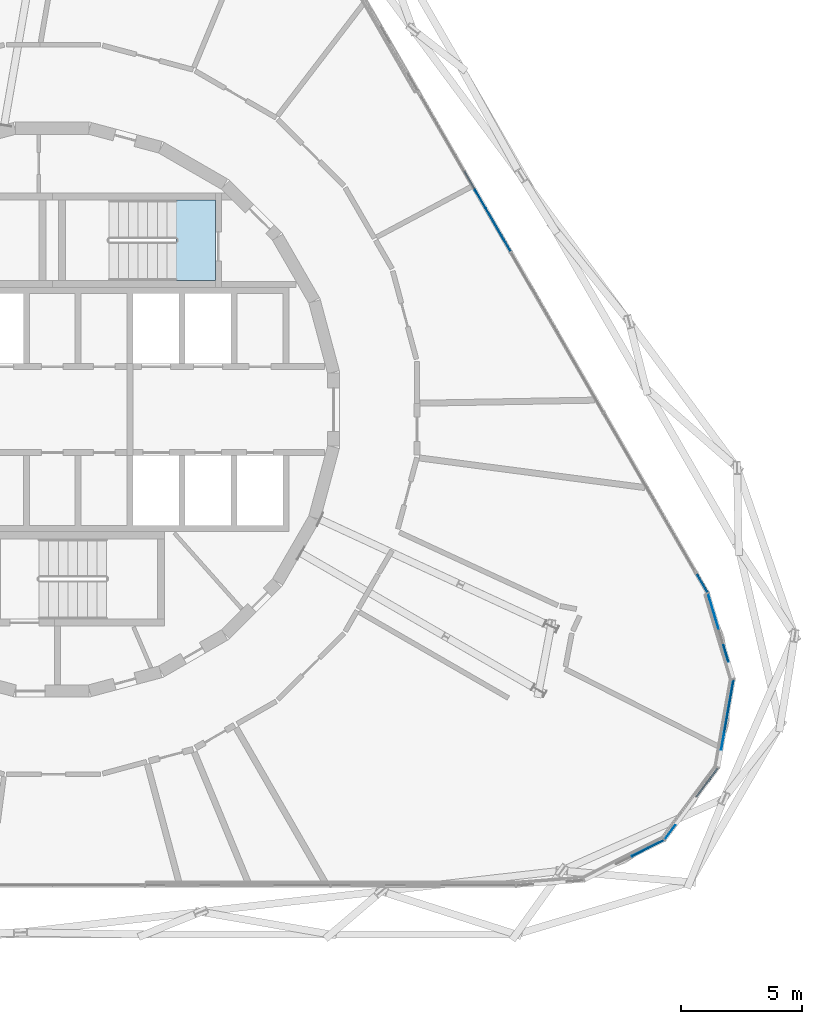
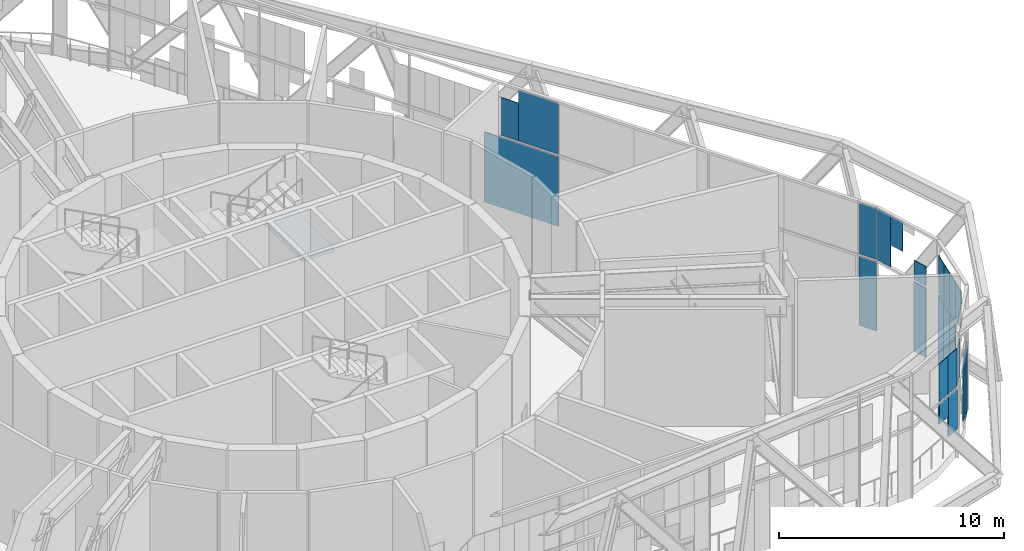
# One storey, part 16 of 29: 23 plates, 1 slab, 3 elements without a shape of their own.
"""IFC4 building model written with IfcOpenShell, lengths in metres."""

from ifc_helpers import new_model, si_unit, direction, frame, origin, origin_2d, place, context, subcontext, project, spatial, polyline, rectangle, outline, extrude, material, layer, layer_set, type_object, element, aggregate, save


model = new_model("IFC4")

# Units and contexts
model_context = context("Model", 3, precision=1e-05, world=origin(), true_north=direction((0.0, 1.0)))
body_context = subcontext(model_context, "Body", "Model", "MODEL_VIEW")
ifc_project = project(units=[si_unit("LENGTHUNIT", "METRE"), si_unit("AREAUNIT", "SQUARE_METRE"), si_unit("VOLUMEUNIT", "CUBIC_METRE"), si_unit("PLANEANGLEUNIT", "RADIAN"), si_unit("MASSUNIT", "GRAM", prefix="KILO")], contexts=[model_context])

# Site, building, storey
site_placement = place(None, origin())
site = spatial("IfcSite", under=ifc_project, at=site_placement, CompositionType="ELEMENT")
building_placement = place(site_placement, origin())
building = spatial("IfcBuilding", under=site, at=building_placement, Name="Spindle Arch Residences", CompositionType="ELEMENT")
storey_placement = place(building_placement, frame((0.0, 0.0, 69.89990234375)))
storey = spatial("IfcBuildingStorey", under=building, at=storey_placement, Name="L16", CompositionType="ELEMENT", Elevation=69.89990234375)

# Stair, slab
ifc_material_1 = material(Name="Concrete C50/60", Category="concrete")
stair_type = type_object("IfcStairType", Name="Exit stair 32 risers", PredefinedType="HALF_TURN_STAIR", material=ifc_material_1)
stair_placement = place(storey_placement, origin())
stair = element("IfcStair", 1, at=stair_placement, inside=storey, type_object=stair_type, Name="L16 Exit stair ST1", PredefinedType="HALF_TURN_STAIR")
ifc_material_2 = material(Name="Concrete C50/60", Category="concrete")
ifc_layer_1 = layer(ifc_material_2, 0.219970703125)
ifc_layer_set_1 = layer_set([ifc_layer_1], Name="Exit stair landing 220")
slab_type = type_object("IfcSlabType", Name="Exit stair landing 220", PredefinedType="LANDING", material=ifc_layer_set_1)
slab_placement = place(storey_placement, frame((0.0, 0.0, 3.18017578125)))
slab = element("IfcSlab", 2, at=slab_placement, type_object=slab_type, Name="ST1 landing 2", PredefinedType="LANDING", context=body_context, shape_type="SweptSolid", body=[
    extrude(outline(polyline([(6.75, 8.669921875), (5.1298828125, 8.669921875), (5.1298828125, 5.35009765625), (6.75, 5.35009765625), (6.75, 8.669921875)])), origin(), (0.0, 0.0, 1.0), 0.219970703125),
])
aggregate(stair, [slab])

# Curtain wall, plates
ifc_material_3 = material(Name="Aluminium bronze unitised frame with tinted glass", Category="aluminium")
ifc_layer_2 = layer(ifc_material_3, 0.159912109375)
ifc_layer_set_2 = layer_set([ifc_layer_2], Name="CW-E double-height winter garden wall")
curtain_wall_type = type_object("IfcCurtainWallType", Name="CW-E double-height winter garden wall", PredefinedType="NOTDEFINED", material=ifc_layer_set_2)
curtain_wall_1_placement = place(storey_placement, origin())
curtain_wall_1 = element("IfcCurtainWall", 3, at=curtain_wall_1_placement, inside=storey, type_object=curtain_wall_type, Name="CW-E L16 run 1", PredefinedType="NOTDEFINED")
ifc_material_4 = material(Name="Tinted laminated glass 28 mm", Category="glass")
ifc_layer_3 = layer(ifc_material_4, 0.028076171875)
ifc_layer_set_3 = layer_set([ifc_layer_3], Name="Tinted glass panel 28 mm")
plate_type_1 = type_object("IfcPlateType", Name="Tinted glass panel 28 mm", PredefinedType="CURTAIN_PANEL", material=ifc_layer_set_3)
plate_1_placement = place(storey_placement, frame((24.327392578125, -18.32666015625, 3.460205078125), z_axis=(0.0, 0.0, 1.0), x_axis=(0.893632642326, 0.448799176213, 0.0)))
plate_1 = element("IfcPlate", 4, at=plate_1_placement, type_object=plate_type_1, Name="CW-E panel 01b.2", PredefinedType="CURTAIN_PANEL", context=body_context, shape_type="SweptSolid", body=[
    extrude(rectangle(XDim=0.7333984375, YDim=0.028076171875, at=origin_2d()), origin(), (0.0, 0.0, 1.0), 2.0458984375),
])
plate_2_placement = place(storey_placement, frame((24.98291015625, -17.99755859375, 3.460205078125), z_axis=(0.0, 0.0, 1.0), x_axis=(0.893632642326, 0.448799176213, 0.0)))
plate_2 = element("IfcPlate", 5, at=plate_2_placement, type_object=plate_type_1, Name="CW-E panel 01b.3", PredefinedType="CURTAIN_PANEL", context=body_context, shape_type="SweptSolid", body=[
    extrude(rectangle(XDim=0.7333984375, YDim=0.028076171875, at=origin_2d()), origin(), (0.0, 0.0, 1.0), 2.0458984375),
])
plate_3_placement = place(storey_placement, frame((25.57421875, -17.50146484375, 3.460205078125), z_axis=(0.0, 0.0, 1.0), x_axis=(0.597158595823, 0.802123189687, 0.0)))
plate_3 = element("IfcPlate", 6, at=plate_3_placement, type_object=plate_type_1, Name="CW-E panel 02b.1", PredefinedType="CURTAIN_PANEL", context=body_context, shape_type="SweptSolid", body=[
    extrude(rectangle(XDim=0.7333984375, YDim=0.028076171875, at=origin_2d()), origin(), (0.0, 0.0, 1.0), 2.0458984375),
])
plate_4_placement = place(storey_placement, frame((27.759033203125, -13.71728515625, 3.460205078125), z_axis=(0.0, 0.0, 1.0), x_axis=(0.173648181019, 0.984807752421, 0.0)))
plate_4 = element("IfcPlate", 7, at=plate_4_placement, type_object=plate_type_1, Name="CW-E panel 03b.1", PredefinedType="CURTAIN_PANEL", context=body_context, shape_type="SweptSolid", body=[
    extrude(rectangle(XDim=0.7333984375, YDim=0.028076171875, at=origin_2d()), origin(), (0.0, 0.0, 1.0), 2.0458984375),
])
plate_5_placement = place(storey_placement, frame((27.88623046875, -12.9951171875, 3.460205078125), z_axis=(0.0, 0.0, 1.0), x_axis=(0.173648181019, 0.984807752421, 0.0)))
plate_5 = element("IfcPlate", 8, at=plate_5_placement, type_object=plate_type_1, Name="CW-E panel 03b.2", PredefinedType="CURTAIN_PANEL", context=body_context, shape_type="SweptSolid", body=[
    extrude(rectangle(XDim=0.7333984375, YDim=0.028076171875, at=origin_2d()), origin(), (0.0, 0.0, 1.0), 2.0458984375),
])
plate_6_placement = place(storey_placement, frame((28.013671875, -12.27294921875, 3.460205078125), z_axis=(0.0, 0.0, 1.0), x_axis=(0.173648181019, 0.984807752421, 0.0)))
plate_6 = element("IfcPlate", 9, at=plate_6_placement, type_object=plate_type_1, Name="CW-E panel 03b.3", PredefinedType="CURTAIN_PANEL", context=body_context, shape_type="SweptSolid", body=[
    extrude(rectangle(XDim=0.7333984375, YDim=0.028076171875, at=origin_2d()), origin(), (0.0, 0.0, 1.0), 2.0458984375),
])
plate_7_placement = place(storey_placement, frame((28.14111328125, -11.55078125, 3.460205078125), z_axis=(0.0, 0.0, 1.0), x_axis=(0.173648181019, 0.984807752421, 0.0)))
plate_7 = element("IfcPlate", 10, at=plate_7_placement, type_object=plate_type_1, Name="CW-E panel 03b.4", PredefinedType="CURTAIN_PANEL", context=body_context, shape_type="SweptSolid", body=[
    extrude(rectangle(XDim=0.7333984375, YDim=0.028076171875, at=origin_2d()), origin(), (0.0, 0.0, 1.0), 2.0458984375),
])
plate_8_placement = place(storey_placement, frame((27.89306640625, -10.101318359375, 3.460205078125), z_axis=(0.0, 0.0, 1.0), x_axis=(-0.28680323051, 0.957989512975, 0.0)))
plate_8 = element("IfcPlate", 11, at=plate_8_placement, type_object=plate_type_1, Name="CW-E panel 04b.1", PredefinedType="CURTAIN_PANEL", context=body_context, shape_type="SweptSolid", body=[
    extrude(rectangle(XDim=0.716796875, YDim=0.028076171875, at=origin_2d()), origin(), (0.0, 0.0, 1.0), 1.05615234375),
])
plate_9_placement = place(storey_placement, frame((27.48193359375, -8.728271484375, 4.645263671875), z_axis=(0.0, 0.0, 1.0), x_axis=(-0.28680323051, 0.957989512975, 0.0)))
plate_9 = element("IfcPlate", 12, at=plate_9_placement, type_object=plate_type_1, Name="CW-E panel 04b.3", PredefinedType="CURTAIN_PANEL", context=body_context, shape_type="SweptSolid", body=[
    extrude(rectangle(XDim=0.716796875, YDim=0.028076171875, at=origin_2d()), origin(), (0.0, 0.0, 1.0), 1.5849609375),
])
plate_10_placement = place(storey_placement, frame((27.264404296875, -8.001708984375, 3.460205078125), z_axis=(0.0, 0.0, 1.0), x_axis=(-0.28680323051, 0.957989512975, 0.0)))
plate_10 = element("IfcPlate", 13, at=plate_10_placement, type_object=plate_type_1, Name="CW-E panel 04b.4", PredefinedType="CURTAIN_PANEL", context=body_context, shape_type="SweptSolid", body=[
    extrude(rectangle(XDim=0.7998046875, YDim=0.028076171875, at=origin_2d()), origin(), (0.0, 0.0, 1.0), 2.77001953125),
])
plate_11_placement = place(storey_placement, frame((26.9052734375, -7.181396484375, 3.460205078125), z_axis=(0.0, 0.0, 1.0), x_axis=(-0.5, 0.866025403784, 0.0)))
plate_11 = element("IfcPlate", 14, at=plate_11_placement, type_object=plate_type_1, Name="CW-E unit 05b", PredefinedType="CURTAIN_PANEL", context=body_context, shape_type="SweptSolid", body=[
    extrude(rectangle(XDim=0.88330078125, YDim=0.028076171875, at=origin_2d()), origin(), (0.0, 0.0, 1.0), 2.77001953125),
])

curtain_wall_2_placement = place(storey_placement, origin())
curtain_wall_2 = element("IfcCurtainWall", 15, at=curtain_wall_2_placement, inside=storey, type_object=curtain_wall_type, Name="CW-E L16 run 2", PredefinedType="NOTDEFINED")
plate_12_placement = place(storey_placement, frame((18.46044921875, 7.4453125, 3.460205078125), z_axis=(0.0, 0.0, 1.0), x_axis=(-0.5, 0.866025403784, 0.0)))
plate_12 = element("IfcPlate", 16, at=plate_12_placement, type_object=plate_type_1, Name="CW-E panel 07Ab.1", PredefinedType="CURTAIN_PANEL", context=body_context, shape_type="SweptSolid", body=[
    extrude(rectangle(XDim=2.055419921875, YDim=0.028076171875, at=origin_2d()), origin(), (0.0, 0.0, 1.0), 2.77001953125),
])
plate_13_placement = place(storey_placement, frame((17.727294921875, 8.71533203125, 3.460205078125), z_axis=(0.0, 0.0, 1.0), x_axis=(-0.5, 0.866025403784, 0.0)))
plate_13 = element("IfcPlate", 17, at=plate_13_placement, type_object=plate_type_1, Name="CW-E panel 07Ab.2", PredefinedType="CURTAIN_PANEL", context=body_context, shape_type="SweptSolid", body=[
    extrude(rectangle(XDim=0.877197265625, YDim=0.028076171875, at=origin_2d()), origin(), (0.0, 0.0, 1.0), 2.0458984375),
])

# Plate
ifc_material_5 = material(Name="Tinted double glazing over aluminium faced non-combustible spandrel zone (K0)", Category="aluminium")
ifc_layer_4 = layer(ifc_material_5, 0.06005859375)
ifc_layer_set_4 = layer_set([ifc_layer_4], Name="Unitised glass panel with E 60 spandrel zone")
plate_type_2 = type_object("IfcPlateType", Name="Unitised glass panel with E 60 spandrel zone", PredefinedType="CURTAIN_PANEL", material=ifc_layer_set_4)
plate_14_placement = place(storey_placement, frame((24.327392578125, -18.32666015625, 2.24658203125), z_axis=(0.0, 0.0, 1.0), x_axis=(0.893632642326, 0.448799176213, 0.0)))
plate_14 = element("IfcPlate", 18, at=plate_14_placement, type_object=plate_type_2, Name="CW-E panel 01a.1", PredefinedType="CURTAIN_PANEL", context=body_context, shape_type="SweptSolid", body=[
    extrude(rectangle(XDim=0.7333984375, YDim=0.06005859375, at=origin_2d()), origin(), (0.0, 0.0, 1.0), 1.093505859375),
])

plate_15_placement = place(storey_placement, frame((24.98291015625, -17.99755859375, 1.143798828125), z_axis=(0.0, 0.0, 1.0), x_axis=(0.893632642326, 0.448799176213, 0.0)))
plate_15 = element("IfcPlate", 19, at=plate_15_placement, type_object=plate_type_2, Name="CW-E panel 01a.2", PredefinedType="CURTAIN_PANEL", context=body_context, shape_type="SweptSolid", body=[
    extrude(rectangle(XDim=0.7333984375, YDim=0.06005859375, at=origin_2d()), origin(), (0.0, 0.0, 1.0), 2.1962890625),
])

plate_16_placement = place(storey_placement, frame((26.887939453125, -15.736572265625, -0.419921875), z_axis=(0.0, 0.0, 1.0), x_axis=(0.597158595823, 0.802123189687, 0.0)))
plate_16 = element("IfcPlate", 20, at=plate_16_placement, type_object=plate_type_2, Name="CW-E panel 02a.2", PredefinedType="CURTAIN_PANEL", context=body_context, shape_type="SweptSolid", body=[
    extrude(rectangle(XDim=0.7333984375, YDim=0.06005859375, at=origin_2d()), origin(), (0.0, 0.0, 1.0), 3.760009765625),
])

plate_17_placement = place(storey_placement, frame((27.325927734375, -15.1484375, -0.419921875), z_axis=(0.0, 0.0, 1.0), x_axis=(0.597158595823, 0.802123189687, 0.0)))
plate_17 = element("IfcPlate", 21, at=plate_17_placement, type_object=plate_type_2, Name="CW-E panel 02a.3", PredefinedType="CURTAIN_PANEL", context=body_context, shape_type="SweptSolid", body=[
    extrude(rectangle(XDim=0.7333984375, YDim=0.06005859375, at=origin_2d()), origin(), (0.0, 0.0, 1.0), 3.760009765625),
])

plate_18_placement = place(storey_placement, frame((27.88623046875, -12.9951171875, 1.275146484375), z_axis=(0.0, 0.0, 1.0), x_axis=(0.173648181019, 0.984807752421, 0.0)))
plate_18 = element("IfcPlate", 22, at=plate_18_placement, type_object=plate_type_2, Name="CW-E panel 03a.2", PredefinedType="CURTAIN_PANEL", context=body_context, shape_type="SweptSolid", body=[
    extrude(rectangle(XDim=0.7333984375, YDim=0.06005859375, at=origin_2d()), origin(), (0.0, 0.0, 1.0), 2.06494140625),
])

plate_19_placement = place(storey_placement, frame((28.013671875, -12.27294921875, -0.19873046875), z_axis=(0.0, 0.0, 1.0), x_axis=(0.173648181019, 0.984807752421, 0.0)))
plate_19 = element("IfcPlate", 23, at=plate_19_placement, type_object=plate_type_2, Name="CW-E panel 03a.3", PredefinedType="CURTAIN_PANEL", context=body_context, shape_type="SweptSolid", body=[
    extrude(rectangle(XDim=0.7333984375, YDim=0.06005859375, at=origin_2d()), origin(), (0.0, 0.0, 1.0), 3.538818359375),
])

plate_20_placement = place(storey_placement, frame((28.14111328125, -11.55078125, -0.419921875), z_axis=(0.0, 0.0, 1.0), x_axis=(0.173648181019, 0.984807752421, 0.0)))
plate_20 = element("IfcPlate", 24, at=plate_20_placement, type_object=plate_type_2, Name="CW-E panel 03a.4", PredefinedType="CURTAIN_PANEL", context=body_context, shape_type="SweptSolid", body=[
    extrude(rectangle(XDim=0.7333984375, YDim=0.06005859375, at=origin_2d()), origin(), (0.0, 0.0, 1.0), 3.760009765625),
])

plate_21_placement = place(storey_placement, frame((27.8857421875, -10.07763671875, -0.419921875), z_axis=(0.0, 0.0, 1.0), x_axis=(-0.28680323051, 0.957989512975, 0.0)))
plate_21 = element("IfcPlate", 25, at=plate_21_placement, type_object=plate_type_2, Name="CW-E panel 04a.1", PredefinedType="CURTAIN_PANEL", context=body_context, shape_type="SweptSolid", body=[
    extrude(rectangle(XDim=0.7333984375, YDim=0.06005859375, at=origin_2d()), origin(), (0.0, 0.0, 1.0), 3.760009765625),
])

plate_22_placement = place(storey_placement, frame((26.9052734375, -7.181396484375, -0.419921875), z_axis=(0.0, 0.0, 1.0), x_axis=(-0.5, 0.866025403784, 0.0)))
plate_22 = element("IfcPlate", 26, at=plate_22_placement, type_object=plate_type_2, Name="CW-E panel 05a.1", PredefinedType="CURTAIN_PANEL", context=body_context, shape_type="SweptSolid", body=[
    extrude(rectangle(XDim=0.88330078125, YDim=0.06005859375, at=origin_2d()), origin(), (0.0, 0.0, 1.0), 3.760009765625),
])

aggregate(curtain_wall_1, [plate_14, plate_15, plate_1, plate_2, plate_16, plate_17, plate_3, plate_18, plate_19, plate_20, plate_4, plate_5, plate_6, plate_7, plate_21, plate_8, plate_9, plate_10, plate_22, plate_11])

plate_23_placement = place(storey_placement, frame((18.021728515625, 8.205078125, -0.449951171875), z_axis=(0.0, 0.0, 1.0), x_axis=(-0.5, 0.866025403784, 0.0)))
plate_23 = element("IfcPlate", 27, at=plate_23_placement, type_object=plate_type_2, Name="CW-E unit 07Aa", PredefinedType="CURTAIN_PANEL", context=body_context, shape_type="SweptSolid", body=[
    extrude(rectangle(XDim=3.81005859375, YDim=0.06005859375, at=origin_2d()), origin(), (0.0, 0.0, 1.0), 3.7900390625),
])

aggregate(curtain_wall_2, [plate_23, plate_12, plate_13])

save(model, "model.ifc")
